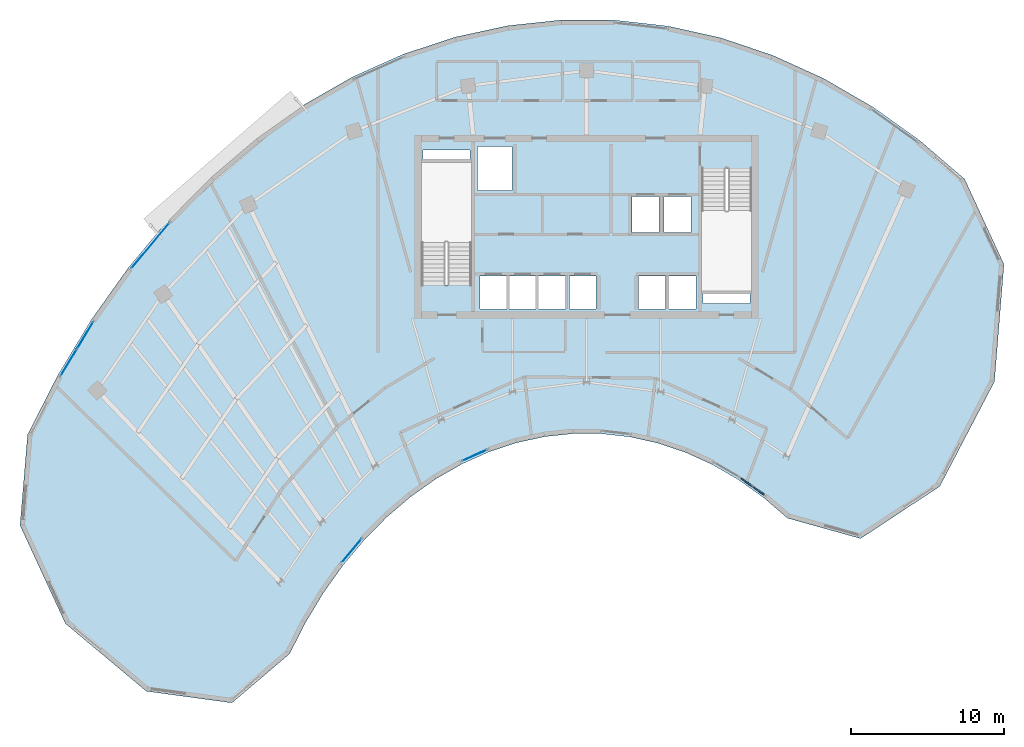
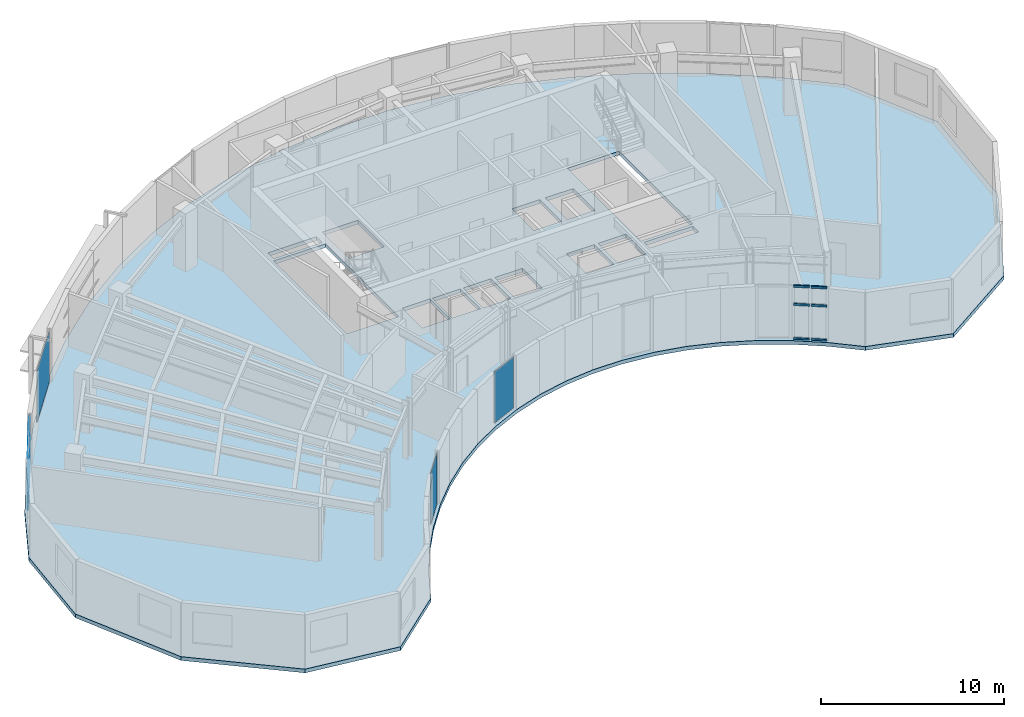
# One storey, part 5 of 12: 7 plates, 6 members, 1 slab, 5 elements without a shape of their own.
"""IFC4 building model written with IfcOpenShell, lengths in metres."""

from ifc_helpers import new_model, si_unit, direction, frame, origin, origin_2d, place, context, subcontext, project, spatial, polyline, rectangle, outline, extrude, source, transform, mapped, material, layer, layer_set, material_profile, profile_set, type_object, element, aggregate, save


model = new_model("IFC4")

# Units and contexts
model_context = context("Model", 3, precision=1e-05, world=origin(), true_north=direction((0.0, 1.0)))
body_context = subcontext(model_context, "Body", "Model", "MODEL_VIEW")
ifc_project = project(units=[si_unit("LENGTHUNIT", "METRE"), si_unit("AREAUNIT", "SQUARE_METRE"), si_unit("VOLUMEUNIT", "CUBIC_METRE"), si_unit("PLANEANGLEUNIT", "RADIAN"), si_unit("MASSUNIT", "GRAM", prefix="KILO")], contexts=[model_context])

# Site, building, storey
site_placement = place(None, origin())
site = spatial("IfcSite", under=ifc_project, at=site_placement, CompositionType="ELEMENT")
building_placement = place(site_placement, origin())
building = spatial("IfcBuilding", under=site, at=building_placement, Name="Breltana Convention Tower", CompositionType="ELEMENT")
storey_placement = place(building_placement, frame((0.0, 0.0, 250.800048828125)))
storey = spatial("IfcBuildingStorey", under=building, at=storey_placement, Name="L61", CompositionType="ELEMENT", Elevation=250.800048828125)

# Curtain wall, members
ifc_material_1 = material(Name="Aluminium Anodised Bronze Frame", Category="aluminium")
ifc_layer_1 = layer(ifc_material_1, 0.18994140625, Name="Aluminium Anodised Bronze Frame")
ifc_layer_set_1 = layer_set([ifc_layer_1], Name="Aluminium Anodised Bronze Frame")
curtain_wall_type_1 = type_object("IfcCurtainWallType", Name="CW-SYS-1", PredefinedType="NOTDEFINED", material=ifc_layer_set_1)
curtain_wall_1_placement = place(storey_placement, origin())
curtain_wall_1 = element("IfcCurtainWall", 1, at=curtain_wall_1_placement, inside=storey, type_object=curtain_wall_type_1, Name="L61 inner south-court glazing 1", PredefinedType="NOTDEFINED")
ifc_material_2 = material(Name="Aluminium Anodised Bronze", Category="aluminium")
ifc_material_profile = material_profile(ifc_material_2, rectangle(XDim=0.080078125, YDim=0.139892578125, at=origin_2d()), Name="CWT-80X140")
ifc_profile_set = profile_set([ifc_material_profile], Name="Aluminium Anodised Bronze")
member_type = type_object("IfcMemberType", Name="CWT-140", PredefinedType="USERDEFINED", material=ifc_profile_set)
shared_shape_1 = source(origin(), body_context, "Body", "SweptSolid", [
    extrude(rectangle(XDim=0.080078125, YDim=0.139892578125, at=origin_2d()), origin(), (0.0, 0.0, 1.0), 0.88720703125),
])
member_1_placement = place(storey_placement, frame((59.6103515625, 48.673583984375, 0.0400390625), z_axis=(-0.814198008079, 0.580587292007, 0.0), x_axis=(-0.580587292007, -0.814198008079, 0.0)))
member_1 = element("IfcMember", 2, at=member_1_placement, type_object=member_type, Name="CW-01 transom 1.1", ObjectType="TRANSOM", PredefinedType="USERDEFINED", context=body_context, shape_type="MappedRepresentation", body=[
    mapped(shared_shape_1, transform((0.0, 0.0, 0.0), scale=1.0)),
])
member_2_placement = place(storey_placement, frame((59.6103515625, 48.673583984375, 2.326904296875), z_axis=(-0.814198008079, 0.580587292007, 0.0), x_axis=(-0.580587292007, -0.814198008079, 0.0)))
member_2 = element("IfcMember", 3, at=member_2_placement, type_object=member_type, Name="CW-01 transom 1.2", ObjectType="TRANSOM", PredefinedType="USERDEFINED", context=body_context, shape_type="MappedRepresentation", body=[
    mapped(shared_shape_1, transform((0.0, 0.0, 0.0), scale=1.0)),
])
member_3_placement = place(storey_placement, frame((59.6103515625, 48.673583984375, 3.5400390625), z_axis=(-0.814198008079, 0.580587292007, 0.0), x_axis=(-0.580587292007, -0.814198008079, 0.0)))
member_3 = element("IfcMember", 4, at=member_3_placement, type_object=member_type, Name="CW-01 transom 1.3", ObjectType="TRANSOM", PredefinedType="USERDEFINED", context=body_context, shape_type="MappedRepresentation", body=[
    mapped(shared_shape_1, transform((0.0, 0.0, 0.0), scale=1.0)),
])
shared_shape_2 = source(origin(), body_context, "Body", "SweptSolid", [
    extrude(rectangle(XDim=0.080078125, YDim=0.139892578125, at=origin_2d()), origin(), (0.0, 0.0, 1.0), 0.887451171875),
])
member_4_placement = place(storey_placement, frame((58.82275390625, 49.235107421875, 0.0400390625), z_axis=(-0.814067936788, 0.58076965683, 0.0), x_axis=(-0.58076965683, -0.814067936788, 0.0)))
member_4 = element("IfcMember", 5, at=member_4_placement, type_object=member_type, Name="CW-01 transom 2.1", ObjectType="TRANSOM", PredefinedType="USERDEFINED", context=body_context, shape_type="MappedRepresentation", body=[
    mapped(shared_shape_2, transform((0.0, 0.0, 0.0), scale=1.0)),
])
member_5_placement = place(storey_placement, frame((58.82275390625, 49.235107421875, 2.326904296875), z_axis=(-0.814067936788, 0.58076965683, 0.0), x_axis=(-0.58076965683, -0.814067936788, 0.0)))
member_5 = element("IfcMember", 6, at=member_5_placement, type_object=member_type, Name="CW-01 transom 2.2", ObjectType="TRANSOM", PredefinedType="USERDEFINED", context=body_context, shape_type="MappedRepresentation", body=[
    mapped(shared_shape_2, transform((0.0, 0.0, 0.0), scale=1.0)),
])
member_6_placement = place(storey_placement, frame((58.82275390625, 49.235107421875, 3.5400390625), z_axis=(-0.814067936788, 0.58076965683, 0.0), x_axis=(-0.58076965683, -0.814067936788, 0.0)))
member_6 = element("IfcMember", 7, at=member_6_placement, type_object=member_type, Name="CW-01 transom 2.3", ObjectType="TRANSOM", PredefinedType="USERDEFINED", context=body_context, shape_type="MappedRepresentation", body=[
    mapped(shared_shape_2, transform((0.0, 0.0, 0.0), scale=1.0)),
])
aggregate(curtain_wall_1, [member_1, member_2, member_3, member_4, member_5, member_6])

# Slab
ifc_material_3 = material(Name="Concrete C40/50", Category="concrete")
ifc_layer_2 = layer(ifc_material_3, 0.25, Name="Concrete C40/50")
ifc_layer_set_2 = layer_set([ifc_layer_2], Name="Concrete C40/50")
slab_type = type_object("IfcSlabType", Name="SL-OFF-250", PredefinedType="FLOOR", material=ifc_layer_set_2)
slab_placement = place(storey_placement, frame((0.0, 0.0, -0.25)))
element("IfcSlab", 8, at=slab_placement, inside=storey, type_object=slab_type, Name="L61 Suspended Structural Floor Slab", PredefinedType="FLOOR", context=body_context, shape_type="SweptSolid", body=[
    extrude(outline(polyline([(72.72119140625, 69.309326171875), (69.777587890625, 71.839111328125), (66.690673828125, 74.040771484375), (63.480712890625, 75.89990234375), (60.1689453125, 77.404296875), (56.777099609375, 78.543701171875), (53.3271484375, 79.31103515625), (49.84228515625, 79.701171875), (46.345458984375, 79.71142578125), (42.859375, 79.341796875), (39.4072265625, 78.594482421875), (36.01171875, 77.474853515625), (32.69482421875, 75.989990234375), (29.47900390625, 74.149658203125), (26.385009765625, 71.966064453125), (23.43310546875, 69.453369140625), (20.64306640625, 66.62841796875), (18.033203125, 63.509765625), (15.62060546875, 60.11767578125), (13.4208984375, 56.474853515625), (11.44921875, 52.60498046875), (10.952392578125, 46.661865234375), (13.9169921875, 40.24951171875), (19.210693359375, 35.81689453125), (24.811279296875, 35.0576171875), (28.57958984375, 38.260986328125), (29.62744140625, 40.317138671875), (30.796142578125, 42.252685546875), (32.077880859375, 44.05517578125), (33.464599609375, 45.712158203125), (34.947021484375, 47.213134765625), (36.515380859375, 48.548095703125), (38.1591796875, 49.708251953125), (39.8681640625, 50.68603515625), (41.63037109375, 51.47509765625), (43.4345703125, 52.070068359375), (45.268798828125, 52.467041015625), (47.120849609375, 52.663330078125), (48.97900390625, 52.657958984375), (50.83056640625, 52.45068359375), (52.663330078125, 52.04296875), (54.465576171875, 51.4375), (56.225341796875, 50.63818359375), (57.930908203125, 49.650390625), (59.57080078125, 48.480712890625), (61.135009765625, 47.136474609375), (65.921142578125, 45.801025390625), (71.092041015625, 49.210205078125), (74.67236328125, 56.06201171875), (75.294677734375, 63.7392578125), (72.72119140625, 69.309326171875)]), holes=[polyline([(37.199951171875, 62.385009765625), (40.469970703125, 62.385009765625), (40.469970703125, 70.39990234375), (37.199951171875, 70.39990234375), (37.199951171875, 62.385009765625)]), polyline([(55.530029296875, 62.0), (58.800048828125, 62.0), (58.800048828125, 70.014892578125), (55.530029296875, 70.014892578125), (55.530029296875, 62.0)]), polyline([(41.0400390625, 60.800048828125), (42.800048828125, 60.800048828125), (42.800048828125, 62.97998046875), (41.0400390625, 62.97998046875), (41.0400390625, 60.800048828125)]), polyline([(42.93994140625, 60.800048828125), (44.699951171875, 60.800048828125), (44.699951171875, 62.97998046875), (42.93994140625, 62.97998046875), (42.93994140625, 60.800048828125)]), polyline([(44.8701171875, 60.800048828125), (46.6298828125, 60.800048828125), (46.6298828125, 62.97998046875), (44.8701171875, 62.97998046875), (44.8701171875, 60.800048828125)]), polyline([(46.8701171875, 60.800048828125), (48.6298828125, 60.800048828125), (48.6298828125, 62.97998046875), (46.8701171875, 62.97998046875), (46.8701171875, 60.800048828125)]), polyline([(51.39990234375, 60.800048828125), (53.159912109375, 60.800048828125), (53.159912109375, 62.97998046875), (51.39990234375, 62.97998046875), (51.39990234375, 60.800048828125)]), polyline([(53.39990234375, 60.800048828125), (55.159912109375, 60.800048828125), (55.159912109375, 62.97998046875), (53.39990234375, 62.97998046875), (53.39990234375, 60.800048828125)]), polyline([(50.969970703125, 65.800048828125), (52.72998046875, 65.800048828125), (52.72998046875, 68.179931640625), (50.969970703125, 68.179931640625), (50.969970703125, 65.800048828125)]), polyline([(53.070068359375, 65.800048828125), (54.830078125, 65.800048828125), (54.830078125, 68.179931640625), (53.070068359375, 68.179931640625), (53.070068359375, 65.800048828125)]), polyline([(40.8798828125, 68.550048828125), (43.1201171875, 68.550048828125), (43.1201171875, 71.449951171875), (40.8798828125, 71.449951171875), (40.8798828125, 68.550048828125)]), polyline([(37.300048828125, 70.60009765625), (40.3798828125, 70.60009765625), (40.3798828125, 71.219970703125), (37.300048828125, 71.219970703125), (37.300048828125, 70.60009765625)]), polyline([(55.6201171875, 61.179931640625), (58.699951171875, 61.179931640625), (58.699951171875, 61.800048828125), (55.6201171875, 61.800048828125), (55.6201171875, 61.179931640625)])]), origin(), (0.0, 0.0, 1.0), 0.25),
])

# Curtain wall, plate
curtain_wall_2_placement = place(storey_placement, origin())
curtain_wall_2 = element("IfcCurtainWall", 9, at=curtain_wall_2_placement, inside=storey, type_object=curtain_wall_type_1, Name="L61 inner south-court glazing 4", PredefinedType="NOTDEFINED")
ifc_material_4 = material(Name="Glass Low-E Double Glazing", Category="glass")
ifc_layer_3 = layer(ifc_material_4, 0.028076171875, Name="Glass Low-E Double Glazing")
ifc_layer_set_3 = layer_set([ifc_layer_3], Name="Glass Low-E Double Glazing")
plate_type = type_object("IfcPlateType", Name="CWP-IGU-28", PredefinedType="CURTAIN_PANEL", material=ifc_layer_set_3)
shared_shape_3 = source(origin(), body_context, "Body", "SweptSolid", [
    extrude(rectangle(XDim=1.770751953125, YDim=0.028076171875, at=origin_2d()), origin(), (0.0, 0.0, 1.0), 3.419921875),
])
plate_1_placement = place(storey_placement, frame((40.67578125, 51.244873046875, 0.080078125), z_axis=(0.0, 0.0, 1.0), x_axis=(-0.912712541396, -0.408602272116, 0.0)))
plate_1 = element("IfcPlate", 10, at=plate_1_placement, type_object=plate_type, Name="CW-01 panel 1.1", PredefinedType="CURTAIN_PANEL", context=body_context, shape_type="MappedRepresentation", body=[
    mapped(shared_shape_3, transform((0.0, 0.0, 0.0), scale=1.0)),
])
aggregate(curtain_wall_2, [plate_1])

curtain_wall_3_placement = place(storey_placement, origin())
curtain_wall_3 = element("IfcCurtainWall", 11, at=curtain_wall_3_placement, inside=storey, type_object=curtain_wall_type_1, Name="L61 inner south-court glazing 5", PredefinedType="NOTDEFINED")
shared_shape_4 = source(origin(), body_context, "Body", "SweptSolid", [
    extrude(rectangle(XDim=2.000732421875, YDim=0.028076171875, at=origin_2d()), origin(), (0.0, 0.0, 1.0), 3.419921875),
])
plate_2_placement = place(storey_placement, frame((32.63330078125, 44.9990234375, 0.080078125), z_axis=(0.0, 0.0, 1.0), x_axis=(-0.641785408725, -0.766884273635, 0.0)))
plate_2 = element("IfcPlate", 12, at=plate_2_placement, type_object=plate_type, Name="CW-01 panel 1.1", PredefinedType="CURTAIN_PANEL", context=body_context, shape_type="MappedRepresentation", body=[
    mapped(shared_shape_4, transform((0.0, 0.0, 0.0), scale=1.0)),
])
aggregate(curtain_wall_3, [plate_2])

# Curtain wall, plates
ifc_layer_4 = layer(ifc_material_1, 0.219970703125, Name="Aluminium Anodised Bronze Frame")
ifc_layer_set_4 = layer_set([ifc_layer_4], Name="Aluminium Anodised Bronze Frame")
curtain_wall_type_2 = type_object("IfcCurtainWallType", Name="CW-SYS-4", PredefinedType="NOTDEFINED", material=ifc_layer_set_4)
curtain_wall_4_placement = place(storey_placement, origin())
curtain_wall_4 = element("IfcCurtainWall", 13, at=curtain_wall_4_placement, inside=storey, type_object=curtain_wall_type_2, Name="L61 outer double-skin inner glazing 1", PredefinedType="NOTDEFINED")
shared_shape_5 = source(origin(), body_context, "Body", "SweptSolid", [
    extrude(rectangle(XDim=2.001220703125, YDim=0.028076171875, at=origin_2d()), origin(), (0.0, 0.0, 1.0), 2.221923828125),
])
plate_3_placement = place(storey_placement, frame((14.136962890625, 57.312255859375, 0.06982421875), z_axis=(0.0, 0.0, 1.0), x_axis=(0.516875291963, 0.856060706117, 0.0)))
plate_3 = element("IfcPlate", 14, at=plate_3_placement, type_object=plate_type, Name="CW-04 panel 1.1", PredefinedType="CURTAIN_PANEL", context=body_context, shape_type="MappedRepresentation", body=[
    mapped(shared_shape_5, transform((0.0, 0.0, 0.0), scale=1.0)),
])
plate_4_placement = place(storey_placement, frame((15.212646484375, 59.093994140625, 0.06982421875), z_axis=(0.0, 0.0, 1.0), x_axis=(0.516875291963, 0.856060706117, 0.0)))
plate_4 = element("IfcPlate", 15, at=plate_4_placement, type_object=plate_type, Name="CW-04 panel 2.1", PredefinedType="CURTAIN_PANEL", context=body_context, shape_type="MappedRepresentation", body=[
    mapped(shared_shape_5, transform((0.0, 0.0, 0.0), scale=1.0)),
])
shared_shape_6 = source(origin(), body_context, "Body", "SweptSolid", [
    extrude(rectangle(XDim=2.001220703125, YDim=0.028076171875, at=origin_2d()), origin(), (0.0, 0.0, 1.0), 1.14794921875),
])
plate_5_placement = place(storey_placement, frame((14.136962890625, 57.312255859375, 2.362060546875), z_axis=(0.0, 0.0, 1.0), x_axis=(0.516875291963, 0.856060706117, 0.0)))
plate_5 = element("IfcPlate", 16, at=plate_5_placement, type_object=plate_type, Name="CW-04 panel 1.2", PredefinedType="CURTAIN_PANEL", context=body_context, shape_type="MappedRepresentation", body=[
    mapped(shared_shape_6, transform((0.0, 0.0, 0.0), scale=1.0)),
])
plate_6_placement = place(storey_placement, frame((15.212646484375, 59.093994140625, 2.362060546875), z_axis=(0.0, 0.0, 1.0), x_axis=(0.516875291963, 0.856060706117, 0.0)))
plate_6 = element("IfcPlate", 17, at=plate_6_placement, type_object=plate_type, Name="CW-04 panel 2.2", PredefinedType="CURTAIN_PANEL", context=body_context, shape_type="MappedRepresentation", body=[
    mapped(shared_shape_6, transform((0.0, 0.0, 0.0), scale=1.0)),
])
aggregate(curtain_wall_4, [plate_3, plate_5, plate_4, plate_6])

# Curtain wall, plate
curtain_wall_5_placement = place(storey_placement, origin())
curtain_wall_5 = element("IfcCurtainWall", 18, at=curtain_wall_5_placement, inside=storey, type_object=curtain_wall_type_2, Name="L61 outer double-skin inner glazing 2", PredefinedType="NOTDEFINED")
shared_shape_7 = source(origin(), body_context, "Body", "SweptSolid", [
    extrude(rectangle(XDim=3.892333984375, YDim=0.028076171875, at=origin_2d()), origin(), (0.0, 0.0, 1.0), 3.43994140625),
])
plate_7_placement = place(storey_placement, frame((19.47607421875, 64.953369140625, 0.070068359375), z_axis=(0.0, 0.0, 1.0), x_axis=(0.64176321485, 0.766902846562, 0.0)))
plate_7 = element("IfcPlate", 19, at=plate_7_placement, type_object=plate_type, Name="CW-04 panel 1.1", PredefinedType="CURTAIN_PANEL", context=body_context, shape_type="MappedRepresentation", body=[
    mapped(shared_shape_7, transform((0.0, 0.0, 0.0), scale=1.0)),
])
aggregate(curtain_wall_5, [plate_7])

save(model, "model.ifc")
